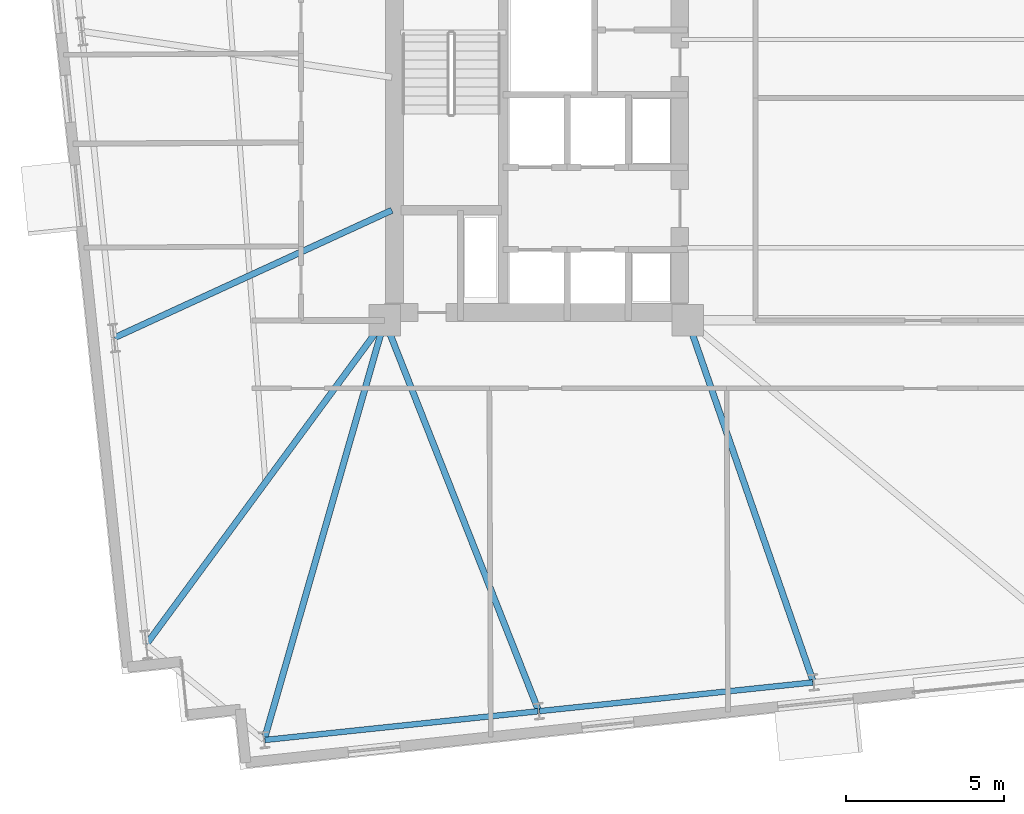
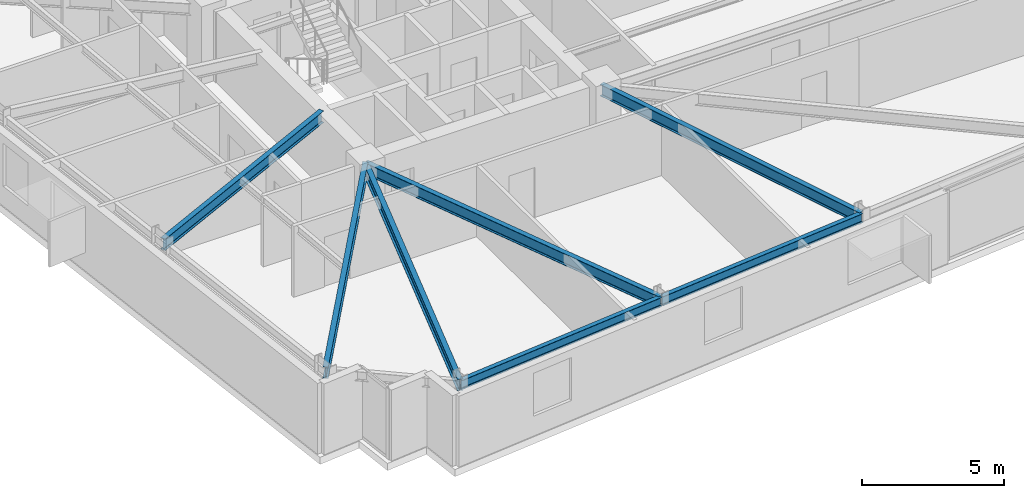
# One storey, part 5 of 23: 7 beams.
"""IFC4 building model written with IfcOpenShell, lengths in metres."""

import ifcopenshell
import ifcopenshell.guid

model = None  # the IFC model being written
_history = None  # IfcOwnerHistory: only IFC2X3 demands one
_inside = {}  # id of a spatial element -> (the spatial element, [elements in it])
_under = {}  # id of a project, library or spatial element -> (it, [spatial elements below it])
_declared = {}  # id of a project -> (the project, [libraries it declares])
_typed = {}  # id of a type object -> (the type object, [elements of that type])
_made_of = {}  # id of a material, layer set ... -> (it, [elements and type objects made of it])


def new_model(schema):
    """Start an empty IFC model of exactly this schema.

    Asked for "IFC4X3", IfcOpenShell would pick the latest addendum, in which some entities
    have other attributes; the version numbers below select the first issue.
    IFC2X3 requires an IfcOwnerHistory on every rooted entity: one is made here for all.
    """
    global model, _history
    if schema == "IFC4X3":
        model = ifcopenshell.file(schema_version=(4, 3, 0, 0))
    else:
        model = ifcopenshell.file(schema=schema)
    _inside.clear()
    _under.clear()
    _declared.clear()
    _typed.clear()
    _made_of.clear()
    _history = None
    if model.schema == "IFC2X3":
        org = make("IfcOrganization", Name="unknown")
        user = make(
            "IfcPersonAndOrganization",
            ThePerson=make("IfcPerson", FamilyName="unknown"),
            TheOrganization=org,
        )
        app = make(
            "IfcApplication",
            ApplicationDeveloper=org,
            Version="unknown",
            ApplicationFullName="unknown",
            ApplicationIdentifier="unknown",
        )
        _history = make(
            "IfcOwnerHistory",
            OwningUser=user,
            OwningApplication=app,
            ChangeAction="ADDED",
            CreationDate=0,
        )
    return model


def make(cls, **values):
    """One entity of the class cls with the attributes given. An attribute that is None is left unset."""
    return model.create_entity(
        cls, **{name: value for name, value in values.items() if value is not None}
    )


def rooted(cls, **values):
    """An entity with a GlobalId (a new one), such as an element, a storey or a relation."""
    return make(cls, GlobalId=ifcopenshell.guid.new(), OwnerHistory=_history, **values)


def si_unit(unit_type, name, prefix=None):
    """IfcSIUnit, for example si_unit("LENGTHUNIT", "METRE", prefix="MILLI")."""
    return make("IfcSIUnit", UnitType=unit_type, Prefix=prefix, Name=name)


def assignment(units):
    """IfcUnitAssignment: the units of a project."""
    return None if units is None else make("IfcUnitAssignment", Units=units)


def point(xyz):
    """IfcCartesianPoint."""
    return None if xyz is None else make("IfcCartesianPoint", Coordinates=xyz)


def direction(xyz):
    """IfcDirection."""
    return None if xyz is None else make("IfcDirection", DirectionRatios=xyz)


def frame(location, z_axis=None, x_axis=None):
    """IfcAxis2Placement3D, a coordinate frame: its origin and axes. An axis left out is left unset."""
    return make(
        "IfcAxis2Placement3D",
        Location=point(location),
        Axis=direction(z_axis),
        RefDirection=direction(x_axis),
    )


def frame_2d(location, x_axis=None):
    """IfcAxis2Placement2D, a coordinate frame in the plane: its origin and x axis."""
    return make(
        "IfcAxis2Placement2D", Location=point(location), RefDirection=direction(x_axis)
    )


def origin():
    """The frame at (0, 0, 0) with its axes left unset."""
    return frame((0.0, 0.0, 0.0))


def origin_2d():
    """The frame at (0, 0) in the plane with its x axis left unset."""
    return frame_2d((0.0, 0.0))


def place(relative_to, where):
    """IfcLocalPlacement: puts the frame where relative to a parent placement (None: the world)."""
    return make(
        "IfcLocalPlacement", PlacementRelTo=relative_to, RelativePlacement=where
    )


def context(
    kind, dimensions, precision=None, world=None, true_north=None, identifier=None
):
    """IfcGeometricRepresentationContext, for example the 3D "Model" context."""
    return make(
        "IfcGeometricRepresentationContext",
        ContextIdentifier=identifier,
        ContextType=kind,
        CoordinateSpaceDimension=dimensions,
        Precision=precision,
        WorldCoordinateSystem=world,
        TrueNorth=true_north,
    )


def subcontext(parent, identifier, kind, view, scale=None):
    """IfcGeometricRepresentationSubContext, for example "Body" below "Model"."""
    return make(
        "IfcGeometricRepresentationSubContext",
        ContextIdentifier=identifier,
        ContextType=kind,
        ParentContext=parent,
        TargetScale=scale,
        TargetView=view,
    )


def project(units=None, contexts=None):
    """IfcProject with its units and contexts."""
    return rooted(
        "IfcProject",
        Name="project",
        RepresentationContexts=contexts,
        UnitsInContext=assignment(units),
    )


def spatial(cls, under=None, at=None, **own):
    """A site, building, storey or space (cls), placed at a placement, below another one or the project."""
    s = rooted(cls, ObjectPlacement=at, **own)
    if under is not None:
        _under.setdefault(under.id(), (under, []))[1].append(s)
    return s


def profile(cls, at=None, kind="AREA", **sizes):
    """A parametric profile (cls). Its sizes go by their IFC names, for example OverallWidth=200.0."""
    return make(cls, ProfileType=kind, Position=at, **sizes)


def i_section(**sizes):
    """IfcIShapeProfileDef."""
    return profile("IfcIShapeProfileDef", **sizes)


def extrude(swept, where, along, depth):
    """IfcExtrudedAreaSolid: the profile swept, set in the frame where, extruded along a direction by depth."""
    return make(
        "IfcExtrudedAreaSolid",
        SweptArea=swept,
        Position=where,
        ExtrudedDirection=direction(along),
        Depth=depth,
    )


def shape(context_of_items, identifier, shape_type, items):
    """IfcShapeRepresentation: the items that make up one representation, for example the "Body"."""
    return make(
        "IfcShapeRepresentation",
        ContextOfItems=context_of_items,
        RepresentationIdentifier=identifier,
        RepresentationType=shape_type,
        Items=items,
    )


def material(Name=None, Category=None):
    """IfcMaterial."""
    return make("IfcMaterial", Name=Name, Category=Category)


def material_profile(
    of_material, cross_section, Name=None, Category=None, Priority=None
):
    """IfcMaterialProfile: a cross section and its material."""
    return make(
        "IfcMaterialProfile",
        Name=Name,
        Material=of_material,
        Profile=cross_section,
        Priority=Priority,
        Category=Category,
    )


def profile_set(profiles, Name=None, composite=None):
    """IfcMaterialProfileSet."""
    return make(
        "IfcMaterialProfileSet",
        Name=Name,
        MaterialProfiles=profiles,
        CompositeProfile=composite,
    )


def made_of(thing, what):
    """Note that an element or type object is made of a material, layer set ...; save() writes the relation."""
    if what is not None:
        _made_of.setdefault(what.id(), (what, []))[1].append(thing)
    return thing


def type_object(cls, material=None, **own):
    """A type object (cls), such as IfcWallType, which elements share."""
    return made_of(rooted(cls, **own), material)


def element(
    cls,
    number,
    at=None,
    inside=None,
    cuts=None,
    type_object=None,
    material=None,
    context=None,
    identifier="Body",
    shape_type=None,
    held_by="IfcProductDefinitionShape",
    body=None,
    shapes=None,
    **own,
):
    """One element of the class cls, such as IfcWall. Its Tag is "e" and its number.

    at: its placement. inside: the storey or other place that contains it. cuts: it is an
    opening in that element (IfcRelVoidsElement). A single representation is given by context,
    identifier, shape_type and body (its items); several are given by shapes. held_by: the class
    of the entity that holds the representations. save() writes the other relations.
    """
    e = rooted(cls, Tag="e%d" % number, ObjectPlacement=at, **own)
    if body is not None:
        shapes = [shape(context, identifier, shape_type, body)]
    if shapes is not None:
        e.Representation = make(held_by, Representations=shapes)
    if inside is not None:
        _inside.setdefault(inside.id(), (inside, []))[1].append(e)
    if cuts is not None:
        rooted(
            "IfcRelVoidsElement", RelatingBuildingElement=cuts, RelatedOpeningElement=e
        )
    if type_object is not None:
        _typed.setdefault(type_object.id(), (type_object, []))[1].append(e)
    return made_of(e, material)


def aggregate(whole, parts):
    """IfcRelAggregates: a whole, such as a stair, and the parts it consists of."""
    return rooted("IfcRelAggregates", RelatingObject=whole, RelatedObjects=parts)


def save(model, path):
    """Write the relations noted so far, then the file.

    IfcRelAggregates (storeys below a building ...), IfcRelContainedInSpatialStructure (elements
    in a storey), IfcRelDefinesByType, IfcRelAssociatesMaterial and IfcRelDeclares: one each for
    every whole, place, type object, material and project.
    """
    for whole, parts in _under.values():
        aggregate(whole, parts)
    for where, things in _inside.values():
        rooted(
            "IfcRelContainedInSpatialStructure",
            RelatedElements=things,
            RelatingStructure=where,
        )
    for kind, things in _typed.values():
        rooted("IfcRelDefinesByType", RelatedObjects=things, RelatingType=kind)
    for what, things in _made_of.values():
        rooted("IfcRelAssociatesMaterial", RelatedObjects=things, RelatingMaterial=what)
    for by, libraries in _declared.values():
        rooted("IfcRelDeclares", RelatingContext=by, RelatedDefinitions=libraries)
    model.write(path)


model = new_model("IFC4")

# Units and contexts
model_context = context("Model", 3, precision=1e-05, world=origin(), true_north=direction((0.0, 1.0)))
body_context = subcontext(model_context, "Body", "Model", "MODEL_VIEW")
ifc_project = project(units=[si_unit("LENGTHUNIT", "METRE"), si_unit("AREAUNIT", "SQUARE_METRE"), si_unit("VOLUMEUNIT", "CUBIC_METRE"), si_unit("PLANEANGLEUNIT", "RADIAN"), si_unit("MASSUNIT", "GRAM", prefix="KILO")], contexts=[model_context])

# Site, building, storey
site_placement = place(None, origin())
site = spatial("IfcSite", under=ifc_project, at=site_placement, CompositionType="ELEMENT")
building_placement = place(site_placement, origin())
building = spatial("IfcBuilding", under=site, at=building_placement, Name="Qobustan Lattice House", CompositionType="ELEMENT")
storey_placement = place(building_placement, frame((0.0, 0.0, 102.449951171875)))
storey = spatial("IfcBuildingStorey", under=building, at=storey_placement, Name="L28", CompositionType="ELEMENT", Elevation=102.449951171875)

# Beams
ifc_material_1 = material(Name="Steel S355", Category="steel")
ifc_material_profile_1 = material_profile(ifc_material_1, i_section(OverallWidth=0.199951171875, OverallDepth=0.5, WebThickness=0.01025390625, FlangeThickness=0.01611328125, FilletRadius=0.02099609375, at=origin_2d()), Name="IPE500")
ifc_profile_set_1 = profile_set([ifc_material_profile_1], Name="Steel S355")
beam_type_1 = type_object("IfcBeamType", Name="BM-FLG-IPE500", PredefinedType="USERDEFINED", material=ifc_profile_set_1)
beam_1_placement = place(storey_placement, frame((-22.612548828125, -18.87109375, 2.795166015625), z_axis=(0.276115177845, 0.961124554136, 0.0), x_axis=(-0.961124554136, 0.276115177845, 0.0)))
element("IfcBeam", 1, at=beam_1_placement, inside=storey, type_object=beam_type_1, Name="L28 primary floor girder RAD-S1W", ObjectType="GIRDER", PredefinedType="USERDEFINED", context=body_context, shape_type="SweptSolid", body=[
    extrude(i_section(OverallWidth=0.199951171875, OverallDepth=0.5, WebThickness=0.01025390625, FlangeThickness=0.01611328125, FilletRadius=0.02099609375, at=origin_2d()), origin(), (0.0, 0.0, 1.0), 13.782958984375),
])
beam_2_placement = place(storey_placement, frame((-13.926513671875, -17.95703125, 2.795166015625), z_axis=(-0.366884358141, 0.930266557365, 0.0), x_axis=(-0.930266557365, -0.366884358141, 0.0)))
element("IfcBeam", 2, at=beam_2_placement, inside=storey, type_object=beam_type_1, Name="L28 primary floor girder RAD-S2", ObjectType="GIRDER", PredefinedType="USERDEFINED", context=body_context, shape_type="SweptSolid", body=[
    extrude(i_section(OverallWidth=0.199951171875, OverallDepth=0.5, WebThickness=0.01025390625, FlangeThickness=0.01611328125, FilletRadius=0.02099609375, at=origin_2d()), origin(), (0.0, 0.0, 1.0), 13.25830078125),
])
beam_3_placement = place(storey_placement, frame((-5.223388671875, -17.0419921875, 2.795166015625), z_axis=(-0.328289533586, 0.94457714462, 0.0), x_axis=(-0.94457714462, -0.328289533586, 0.0)))
element("IfcBeam", 3, at=beam_3_placement, inside=storey, type_object=beam_type_1, Name="L28 primary floor girder RAD-S3", ObjectType="GIRDER", PredefinedType="USERDEFINED", context=body_context, shape_type="SweptSolid", body=[
    extrude(i_section(OverallWidth=0.199951171875, OverallDepth=0.5, WebThickness=0.01025390625, FlangeThickness=0.01611328125, FilletRadius=0.02099609375, at=origin_2d()), origin(), (0.0, 0.0, 1.0), 12.08837890625),
])
beam_4_placement = place(storey_placement, frame((-27.3544921875, -6.1455078125, 2.795166015625), z_axis=(0.908664928826, 0.417526103521, 0.0), x_axis=(-0.417526103521, 0.908664928826, 0.0)))
element("IfcBeam", 4, at=beam_4_placement, inside=storey, type_object=beam_type_1, Name="L28 primary floor girder RAD-W3", ObjectType="GIRDER", PredefinedType="USERDEFINED", context=body_context, shape_type="SweptSolid", body=[
    extrude(i_section(OverallWidth=0.199951171875, OverallDepth=0.5, WebThickness=0.01025390625, FlangeThickness=0.01611328125, FilletRadius=0.02099609375, at=origin_2d()), origin(), (0.0, 0.0, 1.0), 9.66455078125),
])
beam_5_placement = place(storey_placement, frame((-26.34130859375, -15.848876953125, 2.795166015625), z_axis=(0.592669703312, 0.805445605101, 0.0), x_axis=(-0.805445605101, 0.592669703312, 0.0)))
element("IfcBeam", 5, at=beam_5_placement, inside=storey, type_object=beam_type_1, Name="L28 primary floor girder RAD-W4", ObjectType="GIRDER", PredefinedType="USERDEFINED", context=body_context, shape_type="SweptSolid", body=[
    extrude(i_section(OverallWidth=0.199951171875, OverallDepth=0.5, WebThickness=0.01025390625, FlangeThickness=0.01611328125, FilletRadius=0.02099609375, at=origin_2d()), origin(), (0.0, 0.0, 1.0), 12.699462890625),
])
ifc_material_2 = material(Name="Steel S355", Category="steel")
ifc_material_profile_2 = material_profile(ifc_material_2, i_section(OverallWidth=0.179931640625, OverallDepth=0.39990234375, WebThickness=0.008544921875, FlangeThickness=0.013427734375, FilletRadius=0.02099609375, at=origin_2d()), Name="IPE400")
ifc_profile_set_2 = profile_set([ifc_material_profile_2], Name="Steel S355")
beam_type_2 = type_object("IfcBeamType", Name="BM-SPD-IPE400", PredefinedType="SPANDREL", material=ifc_profile_set_2)
beam_6_placement = place(storey_placement, frame((-22.594482421875, -18.892333984375, 2.844970703125), z_axis=(0.994521279781, 0.10453432002, 0.0), x_axis=(-0.10453432002, 0.994521279781, 0.0)))
element("IfcBeam", 6, at=beam_6_placement, inside=storey, type_object=beam_type_2, Name="L28 perimeter spandrel S1-S2", PredefinedType="SPANDREL", context=body_context, shape_type="SweptSolid", body=[
    extrude(i_section(OverallWidth=0.179931640625, OverallDepth=0.39990234375, WebThickness=0.008544921875, FlangeThickness=0.013427734375, FilletRadius=0.02099609375, at=origin_2d()), origin(), (0.0, 0.0, 1.0), 8.69970703125),
])
beam_7_placement = place(storey_placement, frame((-13.892578125, -17.977783203125, 2.844970703125), z_axis=(0.994521586424, 0.104531402636, 0.0), x_axis=(-0.104531402636, 0.994521586424, 0.0)))
element("IfcBeam", 7, at=beam_7_placement, inside=storey, type_object=beam_type_2, Name="L28 perimeter spandrel S2-S3", PredefinedType="SPANDREL", context=body_context, shape_type="SweptSolid", body=[
    extrude(i_section(OverallWidth=0.179931640625, OverallDepth=0.39990234375, WebThickness=0.008544921875, FlangeThickness=0.013427734375, FilletRadius=0.02099609375, at=origin_2d()), origin(), (0.0, 0.0, 1.0), 8.699951171875),
])

save(model, "model.ifc")
